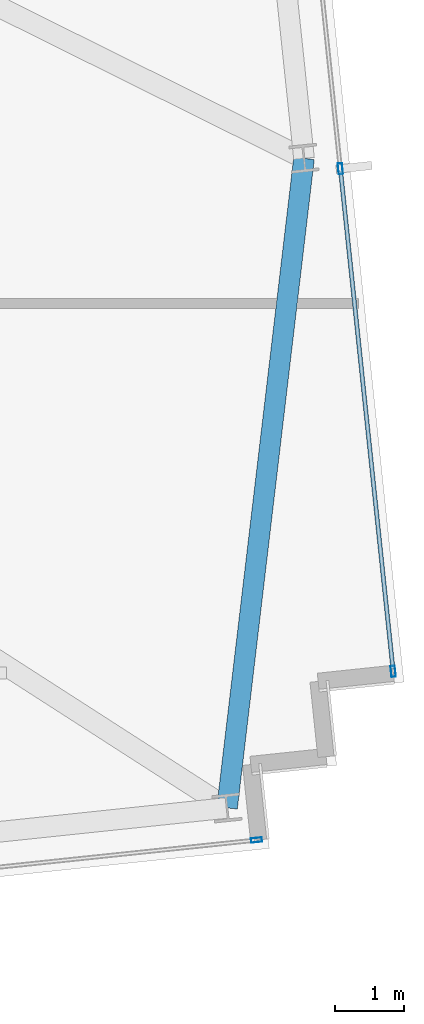
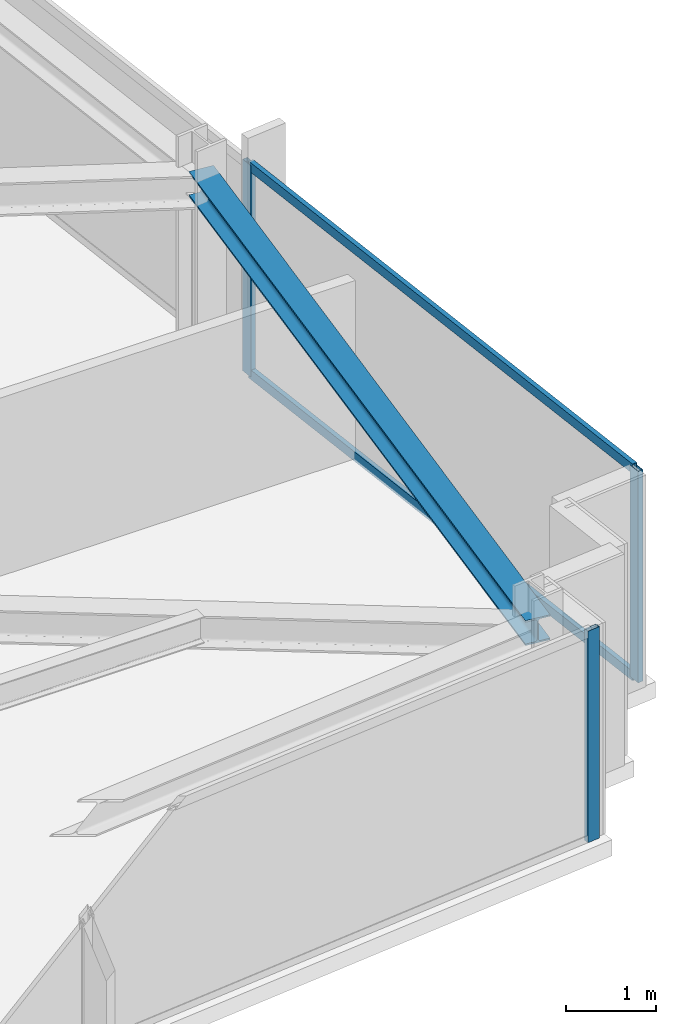
# One storey, part 17 of 33: 5 members, 1 beam, 2 elements without a shape of their own.
"""IFC4 building model written with IfcOpenShell, lengths in metres."""

from ifc_helpers import new_model, si_unit, direction, frame, origin, origin_2d, place, context, subcontext, project, spatial, hollow_rectangle, i_section, extrude, material, material_profile, profile_set, type_object, element, aggregate, save


model = new_model("IFC4")

# Units and contexts
model_context = context("Model", 3, precision=1e-05, world=origin(), true_north=direction((0.0, 1.0)))
body_context = subcontext(model_context, "Body", "Model", "MODEL_VIEW")
ifc_project = project(units=[si_unit("LENGTHUNIT", "METRE"), si_unit("AREAUNIT", "SQUARE_METRE"), si_unit("VOLUMEUNIT", "CUBIC_METRE"), si_unit("PLANEANGLEUNIT", "RADIAN"), si_unit("MASSUNIT", "GRAM", prefix="KILO")], contexts=[model_context])

# Site, building, storey
site_placement = place(None, origin())
site = spatial("IfcSite", under=ifc_project, at=site_placement, CompositionType="ELEMENT")
building_placement = place(site_placement, origin())
building = spatial("IfcBuilding", under=site, at=building_placement, Name="Yelkora Congress Tower", CompositionType="ELEMENT")
storey_placement = place(building_placement, frame((0.0, 0.0, 244.10009765625)))
storey = spatial("IfcBuildingStorey", under=building, at=storey_placement, Name="L68", CompositionType="ELEMENT", Elevation=244.10009765625)

# Beam
ifc_material_1 = material(Name="Steel S355J2", Category="steel")
ifc_material_profile_1 = material_profile(ifc_material_1, i_section(OverallWidth=0.300048828125, OverallDepth=0.340087890625, WebThickness=0.011962890625, FlangeThickness=0.021484375, FilletRadius=0.027099609375, at=origin_2d()), Name="HEB 340")
ifc_profile_set_1 = profile_set([ifc_material_profile_1], Name="Steel S355J2")
beam_type = type_object("IfcBeamType", Name="BM-SPAN-HEB340", PredefinedType="SPANDREL", material=ifc_profile_set_1)
beam_placement = place(storey_placement, frame((69.235107421875, 17.716796875, 2.7099609375), z_axis=(0.11765897357, 0.993054059928, 0.0), x_axis=(-0.993054059928, 0.11765897357, 0.0)))
element("IfcBeam", 1, at=beam_placement, inside=storey, type_object=beam_type, Name="L68 Perimeter Beam 9", PredefinedType="SPANDREL", context=body_context, shape_type="SweptSolid", body=[
    extrude(i_section(OverallWidth=0.300048828125, OverallDepth=0.340087890625, WebThickness=0.011962890625, FlangeThickness=0.021484375, FilletRadius=0.027099609375, at=origin_2d()), origin(), (0.0, 0.0, 1.0), 9.509765625),
])

# Curtain wall, members
ifc_material_2 = material(Name="Anodised aluminium and insulated glass", Category="aluminium")
curtain_wall_type = type_object("IfcCurtainWallType", Name="CW-SYS-B4", PredefinedType="NOTDEFINED", material=ifc_material_2)
curtain_wall_1_placement = place(storey_placement, origin())
curtain_wall_1 = element("IfcCurtainWall", 2, at=curtain_wall_1_placement, inside=storey, type_object=curtain_wall_type, Name="L68 Unitised Curtain Wall 15", PredefinedType="NOTDEFINED")
ifc_material_3 = material(Name="Anodised aluminium 6063-T6", Category="aluminium")
ifc_material_profile_2 = material_profile(ifc_material_3, hollow_rectangle(XDim=0.06494140625, YDim=0.159912109375, WallThickness=0.00390625, at=origin_2d()), Name="ALU 65x160x4")
ifc_profile_set_2 = profile_set([ifc_material_profile_2], Name="Anodised aluminium 6063-T6")
member_type_1 = type_object("IfcMemberType", Name="MEM-ML-B4", PredefinedType="MULLION", material=ifc_profile_set_2)
member_1_placement = place(storey_placement, frame((70.882568359375, 27.009765625, 0.0), z_axis=(0.0, 0.0, 1.0), x_axis=(0.994522182968, 0.104525726898, 0.0)))
member_1 = element("IfcMember", 3, at=member_1_placement, type_object=member_type_1, Name="CW-B4 mullion 4", PredefinedType="MULLION", context=body_context, shape_type="SweptSolid", body=[
    extrude(hollow_rectangle(XDim=0.06494140625, YDim=0.159912109375, WallThickness=0.00390625, at=origin_2d()), origin(), (0.0, 0.0, 1.0), 2.8798828125),
])
member_2_placement = place(storey_placement, frame((71.650634765625, 19.70263671875, 0.0), z_axis=(0.0, 0.0, 1.0), x_axis=(0.994522182968, 0.104525726898, 0.0)))
member_2 = element("IfcMember", 4, at=member_2_placement, type_object=member_type_1, Name="CW-B4 mullion 5", PredefinedType="MULLION", context=body_context, shape_type="SweptSolid", body=[
    extrude(hollow_rectangle(XDim=0.06494140625, YDim=0.159912109375, WallThickness=0.00390625, at=origin_2d()), origin(), (0.0, 0.0, 1.0), 2.8798828125),
])

# Curtain wall, member
curtain_wall_2_placement = place(storey_placement, origin())
curtain_wall_2 = element("IfcCurtainWall", 5, at=curtain_wall_2_placement, inside=storey, type_object=curtain_wall_type, Name="L68 Unitised Curtain Wall 20", PredefinedType="NOTDEFINED")
member_3_placement = place(storey_placement, frame((69.663818359375, 17.2490234375, 0.0), z_axis=(0.0, 0.0, 1.0), x_axis=(0.104526664994, -0.994522084373, 0.0)))
member_3 = element("IfcMember", 6, at=member_3_placement, type_object=member_type_1, Name="CW-B4 mullion 1", PredefinedType="MULLION", context=body_context, shape_type="SweptSolid", body=[
    extrude(hollow_rectangle(XDim=0.06494140625, YDim=0.159912109375, WallThickness=0.00390625, at=origin_2d()), origin(), (0.0, 0.0, 1.0), 2.8798828125),
])
aggregate(curtain_wall_2, [member_3])

# Member
ifc_material_profile_3 = material_profile(ifc_material_3, hollow_rectangle(XDim=0.06005859375, YDim=0.1298828125, WallThickness=0.00390625, at=origin_2d()), Name="ALU 60x130x4")
ifc_profile_set_3 = profile_set([ifc_material_profile_3], Name="Anodised aluminium 6063-T6")
member_type_2 = type_object("IfcMemberType", Name="MEM-TR-B4", PredefinedType="USERDEFINED", material=ifc_profile_set_3)
member_4_placement = place(storey_placement, frame((70.885986328125, 26.9775390625, 0.02978515625), z_axis=(0.104527725728, -0.994521972886, 0.0), x_axis=(0.994521972886, 0.104527725728, 0.0)))
member_4 = element("IfcMember", 7, at=member_4_placement, type_object=member_type_2, Name="CW-B4 transom 4.1", ObjectType="TRANSOM", PredefinedType="USERDEFINED", context=body_context, shape_type="SweptSolid", body=[
    extrude(hollow_rectangle(XDim=0.06005859375, YDim=0.1298828125, WallThickness=0.00390625, at=origin_2d()), origin(), (0.0, 0.0, 1.0), 7.282470703125),
])

member_5_placement = place(storey_placement, frame((70.885986328125, 26.9775390625, 2.849853515625), z_axis=(0.104527725728, -0.994521972886, 0.0), x_axis=(0.994521972886, 0.104527725728, 0.0)))
member_5 = element("IfcMember", 8, at=member_5_placement, type_object=member_type_2, Name="CW-B4 transom 4.2", ObjectType="TRANSOM", PredefinedType="USERDEFINED", context=body_context, shape_type="SweptSolid", body=[
    extrude(hollow_rectangle(XDim=0.06005859375, YDim=0.1298828125, WallThickness=0.00390625, at=origin_2d()), origin(), (0.0, 0.0, 1.0), 7.282470703125),
])

aggregate(curtain_wall_1, [member_1, member_2, member_4, member_5])

save(model, "model.ifc")
